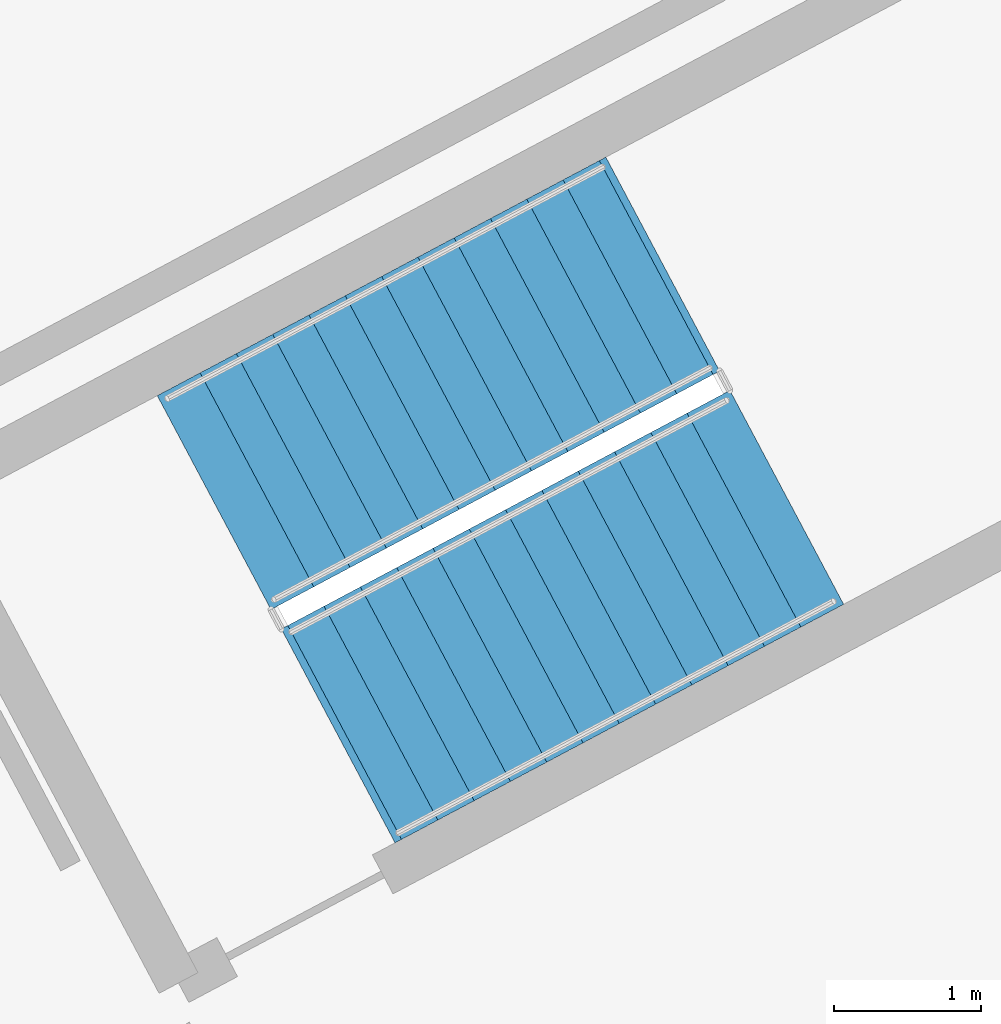
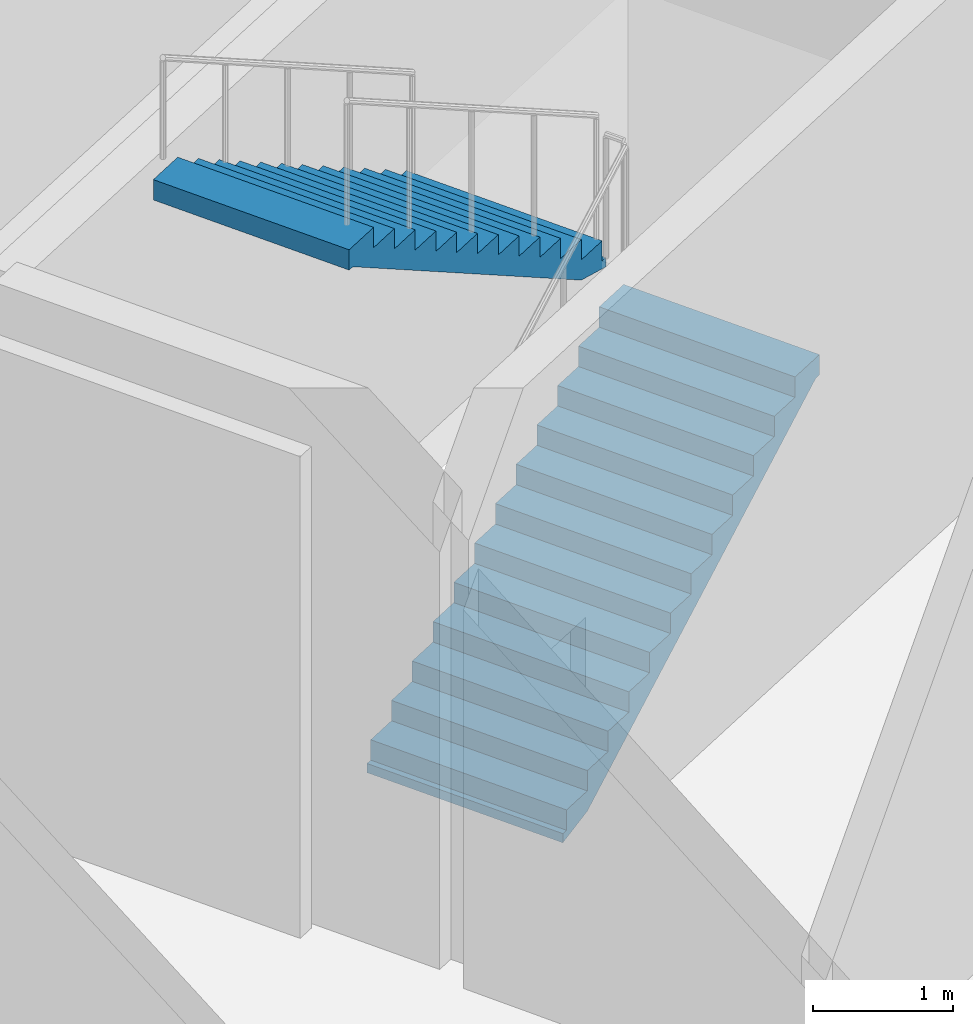
# One storey, part 20 of 32: 2 stair flights, 1 element without a shape of its own.
"""IFC4 building model written with IfcOpenShell, lengths in metres."""

from ifc_helpers import new_model, si_unit, direction, frame, origin, place, context, subcontext, project, spatial, polyline, outline, extrude, material, type_object, element, aggregate, save


model = new_model("IFC4")

# Units and contexts
model_context = context("Model", 3, precision=1e-05, world=origin(), true_north=direction((0.0, 1.0)))
body_context = subcontext(model_context, "Body", "Model", "MODEL_VIEW")
ifc_project = project(units=[si_unit("LENGTHUNIT", "METRE"), si_unit("AREAUNIT", "SQUARE_METRE"), si_unit("VOLUMEUNIT", "CUBIC_METRE"), si_unit("PLANEANGLEUNIT", "RADIAN"), si_unit("MASSUNIT", "GRAM", prefix="KILO")], contexts=[model_context])

# Site, building, storey
site_placement = place(None, origin())
site = spatial("IfcSite", under=ifc_project, at=site_placement, CompositionType="ELEMENT")
building_placement = place(site_placement, origin())
building = spatial("IfcBuilding", under=site, at=building_placement, Name="Cormorant Relay Tower", CompositionType="ELEMENT")
storey_placement = place(building_placement, frame((0.0, 0.0, 70.800048828125)))
storey = spatial("IfcBuildingStorey", under=building, at=storey_placement, Name="L13", CompositionType="ELEMENT", Elevation=70.800048828125)

# Stair, stair flights
ifc_material_1 = material(Name="Concrete 40 MPa", Category="concrete")
stair_type = type_object("IfcStairType", Name="Exit stair 1500", PredefinedType="HALF_TURN_STAIR", material=ifc_material_1)
stair_placement = place(storey_placement, origin())
stair = element("IfcStair", 1, at=stair_placement, inside=storey, type_object=stair_type, Name="L13 Stair", PredefinedType="HALF_TURN_STAIR")
ifc_material_2 = material(Name="Concrete 40 MPa", Category="concrete")
stair_flight_type = type_object("IfcStairFlightType", Name="Exit stair flight 1650", PredefinedType="STRAIGHT", material=ifc_material_2)
stair_flight_1_placement = place(storey_placement, frame((44.947509765625, 31.502197265625, 0.0), z_axis=(0.0, 0.0, 1.0), x_axis=(0.882947502727, 0.4694717323, 0.0)))
stair_flight_1 = element("IfcStairFlight", 2, at=stair_flight_1_placement, type_object=stair_flight_type, Name="RB1 flight 1", NumberOfRisers=13, NumberOfTreads=12, PredefinedType="STRAIGHT", RiserHeight=0.176923077, TreadLength=0.28, context=body_context, shape_type="SweptSolid", body=[
    extrude(outline(polyline([(-0.050048828125, -0.080078125), (-0.050048828125, 0.0), (0.0, 0.0), (0.0, 0.177001953125), (0.280029296875, 0.177001953125), (0.280029296875, 0.353759765625), (0.56005859375, 0.353759765625), (0.56005859375, 0.53076171875), (0.840087890625, 0.53076171875), (0.840087890625, 0.707763671875), (1.1201171875, 0.707763671875), (1.1201171875, 0.884521484375), (1.39990234375, 0.884521484375), (1.39990234375, 1.0615234375), (1.679931640625, 1.0615234375), (1.679931640625, 1.238525390625), (1.9599609375, 1.238525390625), (1.9599609375, 1.415283203125), (2.239990234375, 1.415283203125), (2.239990234375, 1.59228515625), (2.52001953125, 1.59228515625), (2.52001953125, 1.769287109375), (2.800048828125, 1.769287109375), (2.800048828125, 1.946044921875), (3.080078125, 1.946044921875), (3.080078125, 2.123046875), (3.360107421875, 2.123046875), (3.41015625, 2.123046875), (3.41015625, 1.94580078125), (3.360107421875, 1.94580078125), (0.280517578125, 0.0), (-0.050048828125, -0.080078125)])), frame((0.0, 0.824951171875, 0.0), z_axis=(0.0, -1.0, 0.0), x_axis=(1.0, 0.0, 0.0)), (0.0, 0.0, 1.0), 1.64990234375),
])
stair_flight_2_placement = place(storey_placement, frame((47.0693359375, 34.668701171875, 2.300048828125), z_axis=(0.0, 0.0, 1.0), x_axis=(-0.882947502727, -0.4694717323, 0.0)))
stair_flight_2 = element("IfcStairFlight", 3, at=stair_flight_2_placement, type_object=stair_flight_type, Name="RB1 flight 2", NumberOfRisers=13, NumberOfTreads=12, PredefinedType="STRAIGHT", RiserHeight=0.176923077, TreadLength=0.28, context=body_context, shape_type="SweptSolid", body=[
    extrude(outline(polyline([(-0.050048828125, -0.080078125), (-0.050048828125, 0.0), (0.0, 0.0), (0.0, 0.177001953125), (0.280029296875, 0.177001953125), (0.280029296875, 0.353759765625), (0.56005859375, 0.353759765625), (0.56005859375, 0.53076171875), (0.840087890625, 0.53076171875), (0.840087890625, 0.707763671875), (1.1201171875, 0.707763671875), (1.1201171875, 0.884521484375), (1.39990234375, 0.884521484375), (1.39990234375, 1.0615234375), (1.679931640625, 1.0615234375), (1.679931640625, 1.238525390625), (1.9599609375, 1.238525390625), (1.9599609375, 1.415283203125), (2.239990234375, 1.415283203125), (2.239990234375, 1.59228515625), (2.52001953125, 1.59228515625), (2.52001953125, 1.769287109375), (2.800048828125, 1.769287109375), (2.800048828125, 1.946044921875), (3.080078125, 1.946044921875), (3.080078125, 2.123046875), (3.360107421875, 2.123046875), (3.41015625, 2.123046875), (3.41015625, 1.94580078125), (3.360107421875, 1.94580078125), (0.280517578125, 0.0), (-0.050048828125, -0.080078125)])), frame((0.0, 0.824951171875, 0.0), z_axis=(0.0, -1.0, 0.0), x_axis=(1.0, 0.0, 0.0)), (0.0, 0.0, 1.0), 1.64990234375),
])
aggregate(stair, [stair_flight_1, stair_flight_2])

save(model, "model.ifc")
